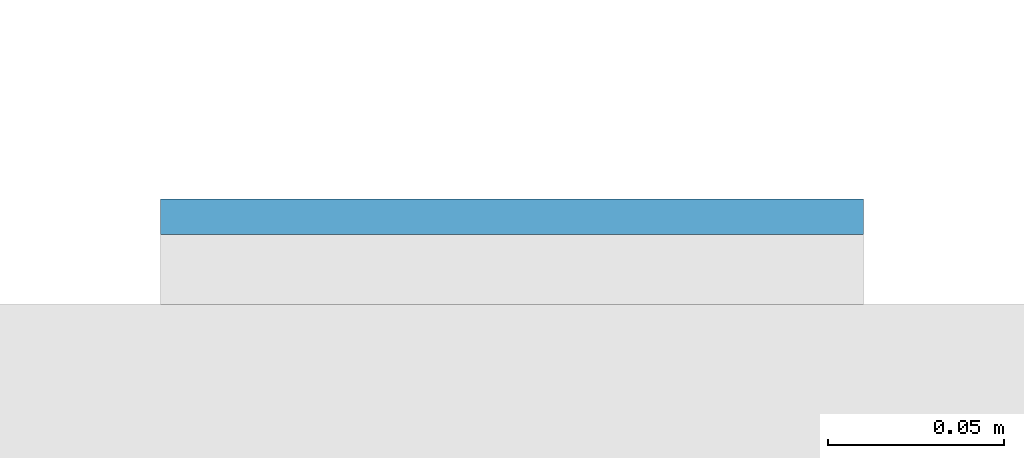
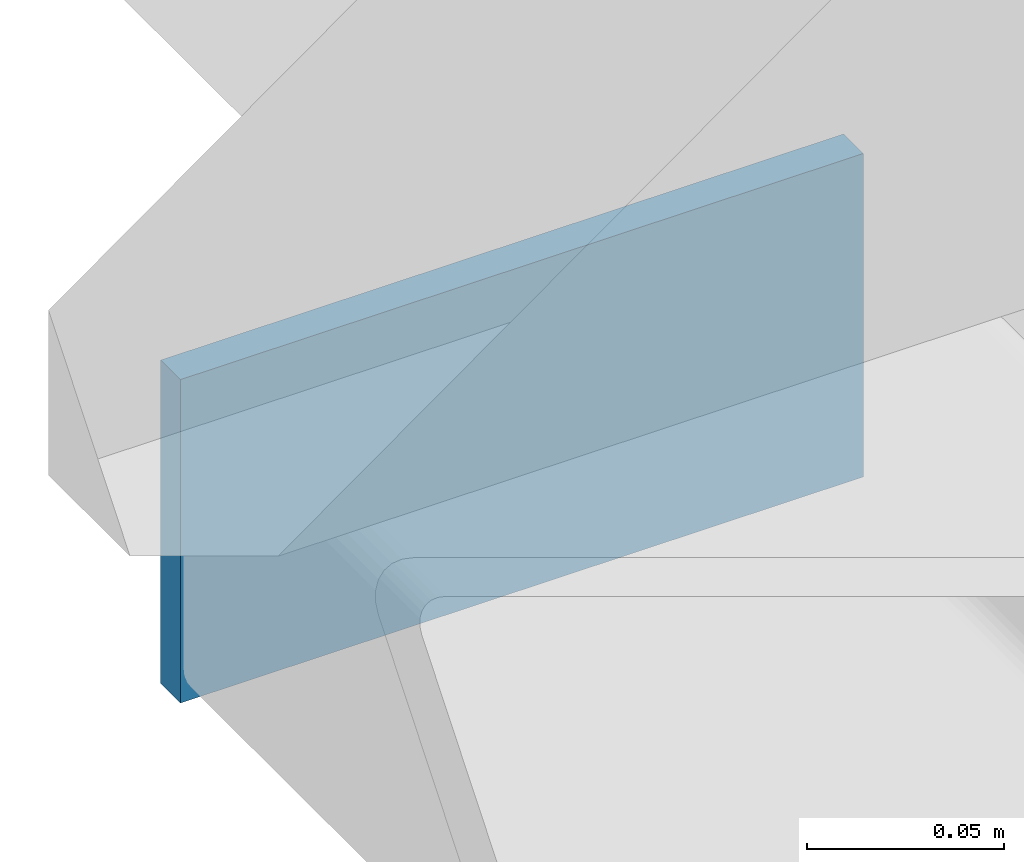
# One storey, part 9 of 20: 1 plate.
"""IFC4 building model written with IfcOpenShell, lengths in metres."""

from ifc_helpers import new_model, si_unit, direction, frame, origin, origin_2d, place, context, subcontext, project, spatial, rectangle, extrude, material, layer, layer_set, type_object, element, save


model = new_model("IFC4")

# Units and contexts
model_context = context("Model", 3, precision=1e-05, world=origin(), true_north=direction((0.0, 1.0)))
body_context = subcontext(model_context, "Body", "Model", "MODEL_VIEW")
ifc_project = project(units=[si_unit("LENGTHUNIT", "METRE"), si_unit("AREAUNIT", "SQUARE_METRE"), si_unit("VOLUMEUNIT", "CUBIC_METRE"), si_unit("PLANEANGLEUNIT", "RADIAN"), si_unit("MASSUNIT", "GRAM", prefix="KILO")], contexts=[model_context])

# Site, building, storey
site_placement = place(None, origin())
site = spatial("IfcSite", under=ifc_project, at=site_placement, CompositionType="ELEMENT")
building_placement = place(site_placement, origin())
building = spatial("IfcBuilding", under=site, at=building_placement, Name="Cleftline Residences", CompositionType="ELEMENT")
storey_placement = place(building_placement, frame((0.0, 0.0, 33.199951171875)))
storey = spatial("IfcBuildingStorey", under=building, at=storey_placement, Name="L07", CompositionType="ELEMENT", Elevation=33.199951171875)

# Plate
ifc_material = material(Name="Steel S355, hot-dip galvanised", Category="steel")
ifc_layer = layer(ifc_material, 0.010009765625)
ifc_layer_set = layer_set([ifc_layer], Name="BAGUETTE CARRIER END PLATE 200X100X10")
plate_type = type_object("IfcPlateType", Name="BAGUETTE CARRIER END PLATE 200X100X10", PredefinedType="USERDEFINED", material=ifc_layer_set)
plate_placement = place(storey_placement, frame((-0.85009765625, 44.304931640625, -0.10009765625), z_axis=(0.0, 0.0, 1.0), x_axis=(-1.0, 0.0, 0.0)))
element("IfcPlate", 1, at=plate_placement, inside=storey, type_object=plate_type, Name="Baguette carrier end plate", ObjectType="BAGUETTE CARRIER END PLATE", PredefinedType="USERDEFINED", context=body_context, shape_type="SweptSolid", body=[
    extrude(rectangle(XDim=0.199951171875, YDim=0.010009765625, at=origin_2d()), origin(), (0.0, 0.0, 1.0), 0.10009765625),
])

save(model, "model.ifc")
